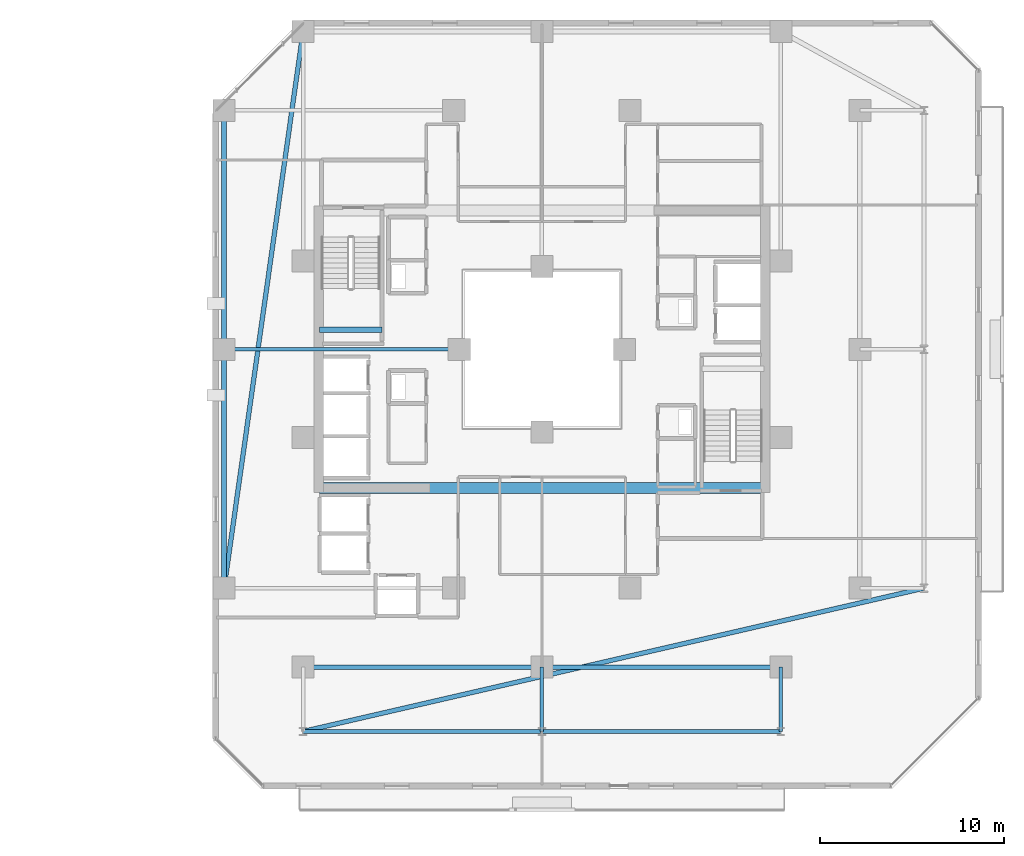
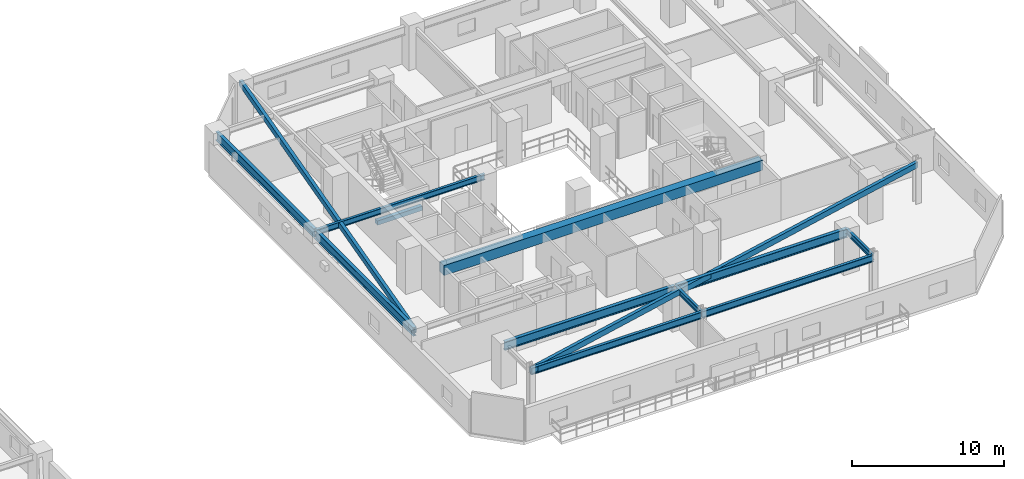
# One storey, part 11 of 34: 13 beams.
"""IFC4 building model written with IfcOpenShell, lengths in metres."""

from ifc_helpers import new_model, si_unit, direction, frame, origin, origin_2d, place, context, subcontext, project, spatial, rectangle, hollow_rectangle, i_section, extrude, material, material_profile, profile_set, type_object, element, save


model = new_model("IFC4")

# Units and contexts
model_context = context("Model", 3, precision=1e-05, world=origin(), true_north=direction((0.0, 1.0)))
body_context = subcontext(model_context, "Body", "Model", "MODEL_VIEW")
ifc_project = project(units=[si_unit("LENGTHUNIT", "METRE"), si_unit("AREAUNIT", "SQUARE_METRE"), si_unit("VOLUMEUNIT", "CUBIC_METRE"), si_unit("PLANEANGLEUNIT", "RADIAN"), si_unit("MASSUNIT", "GRAM", prefix="KILO")], contexts=[model_context])

# Site, building, storey
site_placement = place(None, origin())
site = spatial("IfcSite", under=ifc_project, at=site_placement, CompositionType="ELEMENT")
building_placement = place(site_placement, origin())
building = spatial("IfcBuilding", under=site, at=building_placement, Name="Thornwick Lancets Civic Towers", CompositionType="ELEMENT")
storey_placement = place(building_placement, frame((0.0, 0.0, 137.699951171875)))
storey = spatial("IfcBuildingStorey", under=building, at=storey_placement, Name="L36", CompositionType="ELEMENT", Elevation=137.699951171875)

# Beams
ifc_material_1 = material(Name="Concrete C60/75", Category="concrete")
ifc_material_profile_1 = material_profile(ifc_material_1, rectangle(XDim=0.60009765625, YDim=0.800048828125, at=origin_2d()), Name="RC 600x800")
ifc_profile_set_1 = profile_set([ifc_material_profile_1], Name="Concrete C60/75")
beam_type_1 = type_object("IfcBeamType", Name="BM_COUP_RC800", PredefinedType="BEAM", material=ifc_profile_set_1)
beam_1_placement = place(storey_placement, frame((76.39990234375, 19.449951171875, 2.880126953125), z_axis=(1.0, 0.0, 0.0), x_axis=(0.0, 1.0, 0.0)))
element("IfcBeam", 1, at=beam_1_placement, inside=storey, type_object=beam_type_1, Name="CB-L36-B2", PredefinedType="BEAM", context=body_context, shape_type="SweptSolid", body=[
    extrude(rectangle(XDim=0.60009765625, YDim=0.800048828125, at=origin_2d()), origin(), (0.0, 0.0, 1.0), 24.2001953125),
])
ifc_material_2 = material(Name="Steel S355JR", Category="steel")
ifc_material_profile_2 = material_profile(ifc_material_2, i_section(OverallWidth=0.2119140625, OverallDepth=0.54443359375, WebThickness=0.0126953125, FlangeThickness=0.021240234375, FilletRadius=0.0126953125, at=origin_2d()), Name="UKB 533x210x122")
ifc_profile_set_2 = profile_set([ifc_material_profile_2], Name="Steel S355JR")
beam_type_2 = type_object("IfcBeamType", Name="BM_EDGE_533_122", PredefinedType="SPANDREL", material=ifc_profile_set_2)
beam_2_placement = place(storey_placement, frame((101.5, 6.199951171875, 3.0078125), z_axis=(-1.0, 0.0, 0.0), x_axis=(0.0, -1.0, 0.0)))
element("IfcBeam", 2, at=beam_2_placement, inside=storey, type_object=beam_type_2, Name="BM-EDGE-L36-B-S3-1", PredefinedType="SPANDREL", context=body_context, shape_type="SweptSolid", body=[
    extrude(i_section(OverallWidth=0.2119140625, OverallDepth=0.54443359375, WebThickness=0.0126953125, FlangeThickness=0.021240234375, FilletRadius=0.0126953125, at=origin_2d()), origin(), (0.0, 0.0, 1.0), 13.0),
])
beam_3_placement = place(storey_placement, frame((88.419921875, 6.199951171875, 3.0078125), z_axis=(-1.0, 0.0, 0.0), x_axis=(0.0, -1.0, 0.0)))
element("IfcBeam", 3, at=beam_3_placement, inside=storey, type_object=beam_type_2, Name="BM-EDGE-L36-B-S3-2", PredefinedType="SPANDREL", context=body_context, shape_type="SweptSolid", body=[
    extrude(i_section(OverallWidth=0.2119140625, OverallDepth=0.54443359375, WebThickness=0.0126953125, FlangeThickness=0.021240234375, FilletRadius=0.0126953125, at=origin_2d()), origin(), (0.0, 0.0, 1.0), 12.919921875),
])
ifc_material_profile_3 = material_profile(ifc_material_2, i_section(OverallWidth=0.255859375, OverallDepth=0.69287109375, WebThickness=0.014404296875, FlangeThickness=0.023681640625, FilletRadius=0.01513671875, at=origin_2d()), Name="UKB 686x254x170")
ifc_profile_set_3 = profile_set([ifc_material_profile_3], Name="Steel S355JR")
beam_type_3 = type_object("IfcBeamType", Name="BM_GIRD_686_170", PredefinedType="BEAM", material=ifc_profile_set_3)
beam_4_placement = place(storey_placement, frame((71.199951171875, 14.0, 2.93359375), z_axis=(0.0, 1.0, 0.0), x_axis=(-1.0, 0.0, 0.0)))
element("IfcBeam", 4, at=beam_4_placement, inside=storey, type_object=beam_type_3, Name="BM-SPINE-L36-B-6-7", PredefinedType="BEAM", context=body_context, shape_type="SweptSolid", body=[
    extrude(i_section(OverallWidth=0.255859375, OverallDepth=0.69287109375, WebThickness=0.014404296875, FlangeThickness=0.023681640625, FilletRadius=0.01513671875, at=origin_2d()), origin(), (0.0, 0.0, 1.0), 13.0),
])
beam_5_placement = place(storey_placement, frame((71.199951171875, 27.080078125, 2.93359375), z_axis=(0.0, 1.0, 0.0), x_axis=(-1.0, 0.0, 0.0)))
element("IfcBeam", 5, at=beam_5_placement, inside=storey, type_object=beam_type_3, Name="BM-SPINE-L36-B-7-8", PredefinedType="BEAM", context=body_context, shape_type="SweptSolid", body=[
    extrude(i_section(OverallWidth=0.255859375, OverallDepth=0.69287109375, WebThickness=0.014404296875, FlangeThickness=0.023681640625, FilletRadius=0.01513671875, at=origin_2d()), origin(), (0.0, 0.0, 1.0), 12.919921875),
])
beam_6_placement = place(storey_placement, frame((101.5, 9.699951171875, 2.93359375), z_axis=(-1.0, 0.0, 0.0), x_axis=(0.0, -1.0, 0.0)))
element("IfcBeam", 6, at=beam_6_placement, inside=storey, type_object=beam_type_3, Name="BM-SPINE-L36-B-9-10", PredefinedType="BEAM", context=body_context, shape_type="SweptSolid", body=[
    extrude(i_section(OverallWidth=0.255859375, OverallDepth=0.69287109375, WebThickness=0.014404296875, FlangeThickness=0.023681640625, FilletRadius=0.01513671875, at=origin_2d()), origin(), (0.0, 0.0, 1.0), 13.0),
])
beam_7_placement = place(storey_placement, frame((88.419921875, 9.699951171875, 2.93359375), z_axis=(-1.0, 0.0, 0.0), x_axis=(0.0, -1.0, 0.0)))
element("IfcBeam", 7, at=beam_7_placement, inside=storey, type_object=beam_type_3, Name="BM-SPINE-L36-B-10-11", PredefinedType="BEAM", context=body_context, shape_type="SweptSolid", body=[
    extrude(i_section(OverallWidth=0.255859375, OverallDepth=0.69287109375, WebThickness=0.014404296875, FlangeThickness=0.023681640625, FilletRadius=0.01513671875, at=origin_2d()), origin(), (0.0, 0.0, 1.0), 12.919921875),
])
ifc_material_profile_4 = material_profile(ifc_material_2, i_section(OverallWidth=0.19189453125, OverallDepth=0.46337890625, WebThickness=0.010498046875, FlangeThickness=0.017578125, FilletRadius=0.01025390625, at=origin_2d()), Name="UKB 457x191x89")
ifc_profile_set_4 = profile_set([ifc_material_profile_4], Name="Steel S355JR")
beam_type_4 = type_object("IfcBeamType", Name="BM_JOIST_457_89", PredefinedType="JOIST", material=ifc_profile_set_4)
beam_8_placement = place(storey_placement, frame((84.0, 27.0, 3.04833984375), z_axis=(-1.0, 0.0, 0.0), x_axis=(0.0, -1.0, 0.0)))
element("IfcBeam", 8, at=beam_8_placement, inside=storey, type_object=beam_type_4, Name="BM-RADIN-L36-B08", PredefinedType="JOIST", context=body_context, shape_type="SweptSolid", body=[
    extrude(i_section(OverallWidth=0.19189453125, OverallDepth=0.46337890625, WebThickness=0.010498046875, FlangeThickness=0.017578125, FilletRadius=0.01025390625, at=origin_2d()), origin(), (0.0, 0.0, 1.0), 12.800048828125),
])
for number, where, z_axis, x_axis, name in (
    (9, (101.5, 9.699951171875, 3.04833984375), (0.0, -1.0, 0.0), (1.0, 0.0, 0.0), "BM-RAD-L36-B10"),
    (10, (88.5, 9.699951171875, 3.04833984375), (0.0, -1.0, 0.0), (1.0, 0.0, 0.0), "BM-RAD-L36-B11"),
):
    element("IfcBeam", number, at=place(storey_placement, frame(where, z_axis=z_axis, x_axis=x_axis)), inside=storey, type_object=beam_type_4, Name=name, PredefinedType="JOIST", context=body_context, shape_type="SweptSolid", body=[
        extrude(i_section(OverallWidth=0.19189453125, OverallDepth=0.46337890625, WebThickness=0.010498046875, FlangeThickness=0.017578125, FilletRadius=0.01025390625, at=origin_2d()), origin(), (0.0, 0.0, 1.0), 3.5),
    ])
ifc_material_profile_5 = material_profile(ifc_material_2, hollow_rectangle(XDim=0.25, YDim=0.449951171875, WallThickness=0.01611328125, at=origin_2d()), Name="RHS 450x250x16")
ifc_profile_set_5 = profile_set([ifc_material_profile_5], Name="Steel S355JR")
beam_type_5 = type_object("IfcBeamType", Name="BM_RING_RHS450", PredefinedType="BEAM", material=ifc_profile_set_5)
beam_9_placement = place(storey_placement, frame((75.5, 44.300048828125, 3.054931640625), z_axis=(-0.140507712682, -0.990079584012, 0.0), x_axis=(0.990079584012, -0.140507712682, 0.0)))
element("IfcBeam", 11, at=beam_9_placement, inside=storey, type_object=beam_type_5, Name="BM-CHAMF-L36-B-C1", PredefinedType="BEAM", context=body_context, shape_type="SweptSolid", body=[
    extrude(hollow_rectangle(XDim=0.25, YDim=0.449951171875, WallThickness=0.01611328125, at=origin_2d()), origin(), (0.0, 0.0, 1.0), 30.603759765625),
])
beam_10_placement = place(storey_placement, frame((75.5, 6.199951171875, 3.054931640625), z_axis=(0.974390958454, 0.224860534737, 0.0), x_axis=(-0.224860534737, 0.974390958454, 0.0)))
element("IfcBeam", 12, at=beam_10_placement, inside=storey, type_object=beam_type_5, Name="BM-CHAMF-L36-B-C3", PredefinedType="BEAM", context=body_context, shape_type="SweptSolid", body=[
    extrude(hollow_rectangle(XDim=0.25, YDim=0.449951171875, WallThickness=0.01611328125, at=origin_2d()), origin(), (0.0, 0.0, 1.0), 34.6884765625),
])
ifc_material_3 = material(Name="Concrete C40/50", Category="concrete")
ifc_material_profile_6 = material_profile(ifc_material_3, rectangle(XDim=0.300048828125, YDim=0.35009765625, at=origin_2d()), Name="RC 300x350")
ifc_profile_set_6 = profile_set([ifc_material_profile_6], Name="Concrete C40/50")
beam_type_6 = type_object("IfcBeamType", Name="BM_STAIR_LDG", PredefinedType="BEAM", material=ifc_profile_set_6)
beam_11_placement = place(storey_placement, frame((76.39990234375, 28.06494140625, 1.3779296875), z_axis=(1.0, 0.0, 0.0), x_axis=(0.0, 1.0, 0.0)))
element("IfcBeam", 13, at=beam_11_placement, inside=storey, type_object=beam_type_6, Name="L36 ST-B2 Landing Support Beam 1", PredefinedType="BEAM", context=body_context, shape_type="SweptSolid", body=[
    extrude(rectangle(XDim=0.300048828125, YDim=0.35009765625, at=origin_2d()), origin(), (0.0, 0.0, 1.0), 3.400146484375),
])

save(model, "model.ifc")
